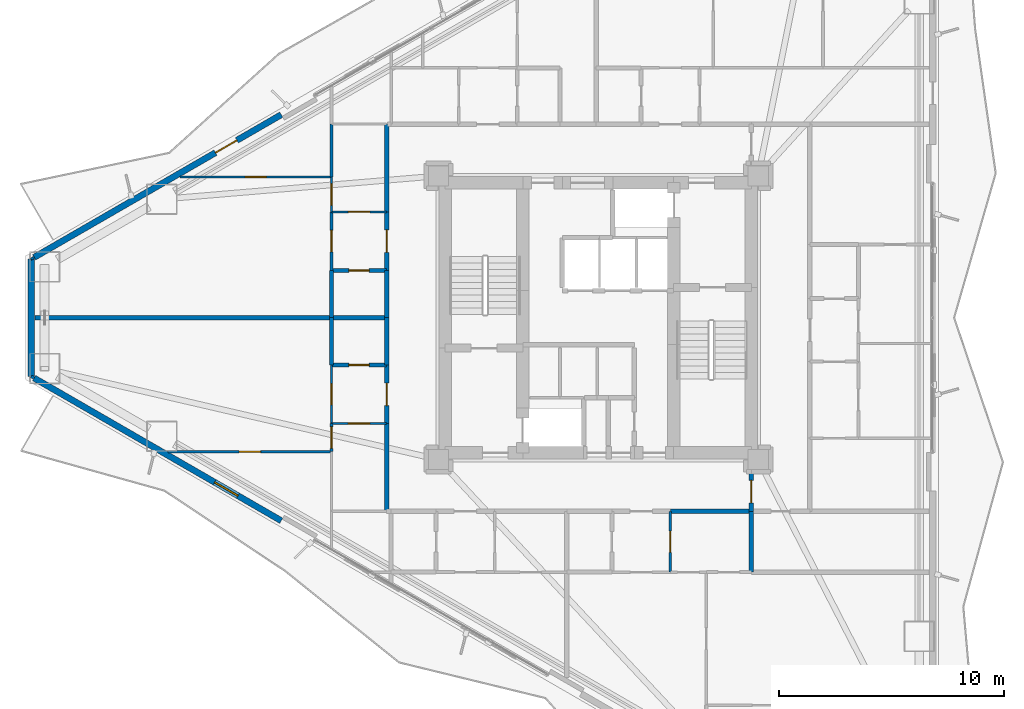
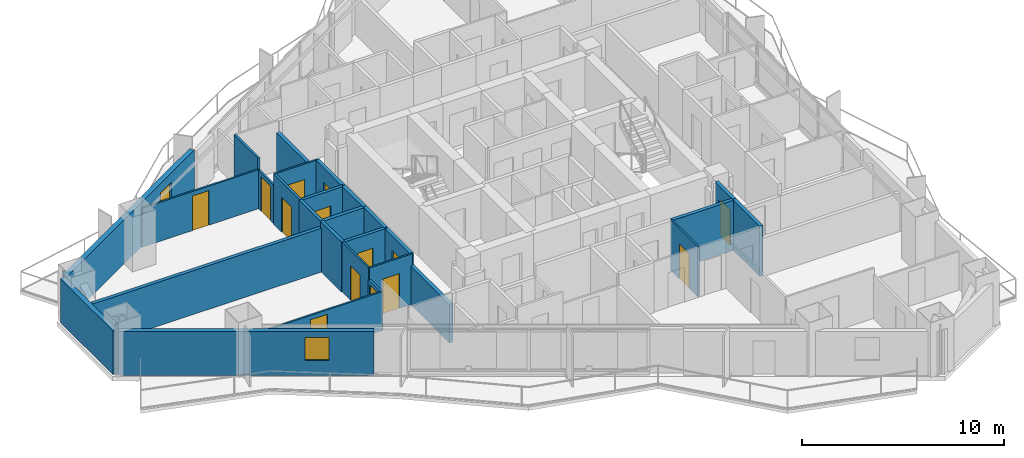
# One storey, part 12 of 18: 30 walls, 15 doors, 1 window, 16 openings.
"""IFC4 building model written with IfcOpenShell, lengths in metres."""

import ifcopenshell
import ifcopenshell.guid

model = None  # the IFC model being written
_history = None  # IfcOwnerHistory: only IFC2X3 demands one
_inside = {}  # id of a spatial element -> (the spatial element, [elements in it])
_under = {}  # id of a project, library or spatial element -> (it, [spatial elements below it])
_declared = {}  # id of a project -> (the project, [libraries it declares])
_typed = {}  # id of a type object -> (the type object, [elements of that type])
_made_of = {}  # id of a material, layer set ... -> (it, [elements and type objects made of it])


def new_model(schema):
    """Start an empty IFC model of exactly this schema.

    Asked for "IFC4X3", IfcOpenShell would pick the latest addendum, in which some entities
    have other attributes; the version numbers below select the first issue.
    IFC2X3 requires an IfcOwnerHistory on every rooted entity: one is made here for all.
    """
    global model, _history
    if schema == "IFC4X3":
        model = ifcopenshell.file(schema_version=(4, 3, 0, 0))
    else:
        model = ifcopenshell.file(schema=schema)
    _inside.clear()
    _under.clear()
    _declared.clear()
    _typed.clear()
    _made_of.clear()
    _history = None
    if model.schema == "IFC2X3":
        org = make("IfcOrganization", Name="unknown")
        user = make(
            "IfcPersonAndOrganization",
            ThePerson=make("IfcPerson", FamilyName="unknown"),
            TheOrganization=org,
        )
        app = make(
            "IfcApplication",
            ApplicationDeveloper=org,
            Version="unknown",
            ApplicationFullName="unknown",
            ApplicationIdentifier="unknown",
        )
        _history = make(
            "IfcOwnerHistory",
            OwningUser=user,
            OwningApplication=app,
            ChangeAction="ADDED",
            CreationDate=0,
        )
    return model


def make(cls, **values):
    """One entity of the class cls with the attributes given. An attribute that is None is left unset."""
    return model.create_entity(
        cls, **{name: value for name, value in values.items() if value is not None}
    )


def rooted(cls, **values):
    """An entity with a GlobalId (a new one), such as an element, a storey or a relation."""
    return make(cls, GlobalId=ifcopenshell.guid.new(), OwnerHistory=_history, **values)


def si_unit(unit_type, name, prefix=None):
    """IfcSIUnit, for example si_unit("LENGTHUNIT", "METRE", prefix="MILLI")."""
    return make("IfcSIUnit", UnitType=unit_type, Prefix=prefix, Name=name)


def assignment(units):
    """IfcUnitAssignment: the units of a project."""
    return None if units is None else make("IfcUnitAssignment", Units=units)


def point(xyz):
    """IfcCartesianPoint."""
    return None if xyz is None else make("IfcCartesianPoint", Coordinates=xyz)


def direction(xyz):
    """IfcDirection."""
    return None if xyz is None else make("IfcDirection", DirectionRatios=xyz)


def frame(location, z_axis=None, x_axis=None):
    """IfcAxis2Placement3D, a coordinate frame: its origin and axes. An axis left out is left unset."""
    return make(
        "IfcAxis2Placement3D",
        Location=point(location),
        Axis=direction(z_axis),
        RefDirection=direction(x_axis),
    )


def frame_2d(location, x_axis=None):
    """IfcAxis2Placement2D, a coordinate frame in the plane: its origin and x axis."""
    return make(
        "IfcAxis2Placement2D", Location=point(location), RefDirection=direction(x_axis)
    )


def origin():
    """The frame at (0, 0, 0) with its axes left unset."""
    return frame((0.0, 0.0, 0.0))


def place(relative_to, where):
    """IfcLocalPlacement: puts the frame where relative to a parent placement (None: the world)."""
    return make(
        "IfcLocalPlacement", PlacementRelTo=relative_to, RelativePlacement=where
    )


def context(
    kind, dimensions, precision=None, world=None, true_north=None, identifier=None
):
    """IfcGeometricRepresentationContext, for example the 3D "Model" context."""
    return make(
        "IfcGeometricRepresentationContext",
        ContextIdentifier=identifier,
        ContextType=kind,
        CoordinateSpaceDimension=dimensions,
        Precision=precision,
        WorldCoordinateSystem=world,
        TrueNorth=true_north,
    )


def subcontext(parent, identifier, kind, view, scale=None):
    """IfcGeometricRepresentationSubContext, for example "Body" below "Model"."""
    return make(
        "IfcGeometricRepresentationSubContext",
        ContextIdentifier=identifier,
        ContextType=kind,
        ParentContext=parent,
        TargetScale=scale,
        TargetView=view,
    )


def project(units=None, contexts=None):
    """IfcProject with its units and contexts."""
    return rooted(
        "IfcProject",
        Name="project",
        RepresentationContexts=contexts,
        UnitsInContext=assignment(units),
    )


def spatial(cls, under=None, at=None, **own):
    """A site, building, storey or space (cls), placed at a placement, below another one or the project."""
    s = rooted(cls, ObjectPlacement=at, **own)
    if under is not None:
        _under.setdefault(under.id(), (under, []))[1].append(s)
    return s


def profile(cls, at=None, kind="AREA", **sizes):
    """A parametric profile (cls). Its sizes go by their IFC names, for example OverallWidth=200.0."""
    return make(cls, ProfileType=kind, Position=at, **sizes)


def rectangle(**sizes):
    """IfcRectangleProfileDef."""
    return profile("IfcRectangleProfileDef", **sizes)


def extrude(swept, where, along, depth):
    """IfcExtrudedAreaSolid: the profile swept, set in the frame where, extruded along a direction by depth."""
    return make(
        "IfcExtrudedAreaSolid",
        SweptArea=swept,
        Position=where,
        ExtrudedDirection=direction(along),
        Depth=depth,
    )


def shape(context_of_items, identifier, shape_type, items):
    """IfcShapeRepresentation: the items that make up one representation, for example the "Body"."""
    return make(
        "IfcShapeRepresentation",
        ContextOfItems=context_of_items,
        RepresentationIdentifier=identifier,
        RepresentationType=shape_type,
        Items=items,
    )


def material(Name=None, Category=None):
    """IfcMaterial."""
    return make("IfcMaterial", Name=Name, Category=Category)


def layer(
    of_material, thickness, ventilated=None, Name=None, Category=None, Priority=None
):
    """IfcMaterialLayer: one layer of a wall or slab, of a material (None: an air gap)."""
    return make(
        "IfcMaterialLayer",
        Material=of_material,
        LayerThickness=thickness,
        IsVentilated=ventilated,
        Name=Name,
        Category=Category,
        Priority=Priority,
    )


def layer_set(layers, Name=None):
    """IfcMaterialLayerSet."""
    return make("IfcMaterialLayerSet", MaterialLayers=layers, LayerSetName=Name)


def made_of(thing, what):
    """Note that an element or type object is made of a material, layer set ...; save() writes the relation."""
    if what is not None:
        _made_of.setdefault(what.id(), (what, []))[1].append(thing)
    return thing


def type_object(cls, material=None, **own):
    """A type object (cls), such as IfcWallType, which elements share."""
    return made_of(rooted(cls, **own), material)


def element(
    cls,
    number,
    at=None,
    inside=None,
    cuts=None,
    type_object=None,
    material=None,
    context=None,
    identifier="Body",
    shape_type=None,
    held_by="IfcProductDefinitionShape",
    body=None,
    shapes=None,
    **own,
):
    """One element of the class cls, such as IfcWall. Its Tag is "e" and its number.

    at: its placement. inside: the storey or other place that contains it. cuts: it is an
    opening in that element (IfcRelVoidsElement). A single representation is given by context,
    identifier, shape_type and body (its items); several are given by shapes. held_by: the class
    of the entity that holds the representations. save() writes the other relations.
    """
    e = rooted(cls, Tag="e%d" % number, ObjectPlacement=at, **own)
    if body is not None:
        shapes = [shape(context, identifier, shape_type, body)]
    if shapes is not None:
        e.Representation = make(held_by, Representations=shapes)
    if inside is not None:
        _inside.setdefault(inside.id(), (inside, []))[1].append(e)
    if cuts is not None:
        rooted(
            "IfcRelVoidsElement", RelatingBuildingElement=cuts, RelatedOpeningElement=e
        )
    if type_object is not None:
        _typed.setdefault(type_object.id(), (type_object, []))[1].append(e)
    return made_of(e, material)


def fill(opening, filler):
    """IfcRelFillsElement: the door or window that sits in an opening."""
    return rooted(
        "IfcRelFillsElement",
        RelatingOpeningElement=opening,
        RelatedBuildingElement=filler,
    )


def aggregate(whole, parts):
    """IfcRelAggregates: a whole, such as a stair, and the parts it consists of."""
    return rooted("IfcRelAggregates", RelatingObject=whole, RelatedObjects=parts)


def save(model, path):
    """Write the relations noted so far, then the file.

    IfcRelAggregates (storeys below a building ...), IfcRelContainedInSpatialStructure (elements
    in a storey), IfcRelDefinesByType, IfcRelAssociatesMaterial and IfcRelDeclares: one each for
    every whole, place, type object, material and project.
    """
    for whole, parts in _under.values():
        aggregate(whole, parts)
    for where, things in _inside.values():
        rooted(
            "IfcRelContainedInSpatialStructure",
            RelatedElements=things,
            RelatingStructure=where,
        )
    for kind, things in _typed.values():
        rooted("IfcRelDefinesByType", RelatedObjects=things, RelatingType=kind)
    for what, things in _made_of.values():
        rooted("IfcRelAssociatesMaterial", RelatedObjects=things, RelatingMaterial=what)
    for by, libraries in _declared.values():
        rooted("IfcRelDeclares", RelatingContext=by, RelatedDefinitions=libraries)
    model.write(path)


model = new_model("IFC4")

# Units and contexts
model_context = context("Model", 3, precision=1e-05, world=origin(), true_north=direction((0.0, 1.0)))
body_context = subcontext(model_context, "Body", "Model", "MODEL_VIEW")
ifc_project = project(units=[si_unit("LENGTHUNIT", "METRE"), si_unit("AREAUNIT", "SQUARE_METRE"), si_unit("VOLUMEUNIT", "CUBIC_METRE"), si_unit("PLANEANGLEUNIT", "RADIAN"), si_unit("MASSUNIT", "GRAM", prefix="KILO")], contexts=[model_context])

# Site, building, storey
site_placement = place(None, origin())
site = spatial("IfcSite", under=ifc_project, at=site_placement, CompositionType="ELEMENT")
building_placement = place(site_placement, origin())
building = spatial("IfcBuilding", under=site, at=building_placement, Name="Mersakhor Tower and Convention Hall", CompositionType="ELEMENT")
storey_placement = place(building_placement, frame((0.0, 0.0, 39.0)))
storey = spatial("IfcBuildingStorey", under=building, at=storey_placement, Name="L10", CompositionType="ELEMENT", Elevation=39.0)

# Wall
ifc_material_1 = material(Name="Precast concrete C45/55", Category="concrete")
ifc_layer_1 = layer(ifc_material_1, 0.27490234375)
ifc_layer_set_1 = layer_set([ifc_layer_1], Name="Precast concrete C45/55")
wall_type_1 = type_object("IfcWallType", Name="WL-EXT-275", PredefinedType="SOLIDWALL", material=ifc_layer_set_1)
wall_1_placement = place(storey_placement, frame((3.81298828125, 24.144287109375, 0.0), z_axis=(0.0, 0.0, 1.0), x_axis=(0.0, 1.0, 0.0)))
element("IfcWall", 1, at=wall_1_placement, inside=storey, type_object=wall_type_1, Name="L10 Chamfer Braced Spandrel Wall C3", PredefinedType="SOLIDWALL", context=body_context, shape_type="SweptSolid", body=[
    extrude(rectangle(XDim=5.21142578125, YDim=0.27490234375, at=frame_2d((2.605712890625, 0.0))), origin(), (0.0, 0.0, 1.0), 2.659912109375),
])

# Wall, opening, door
wall_2_placement = place(storey_placement, frame((3.943115234375, 29.4306640625, 0.0), z_axis=(0.0, 0.0, 1.0), x_axis=(0.866027105532, 0.499997052475, 0.0)))
wall_2 = element("IfcWall", 2, at=wall_2_placement, inside=storey, type_object=wall_type_1, Name="L10 Exterior Facade Wall F1-B1", PredefinedType="SOLIDWALL", context=body_context, shape_type="SweptSolid", body=[
    extrude(rectangle(XDim=12.6728515625, YDim=0.27490234375, at=frame_2d((6.33642578125, 0.0))), origin(), (0.0, 0.0, 1.0), 2.659912109375),
])
opening_1_placement = place(wall_2_placement, frame((9.298095703125, 0.0, 0.0)))
opening_1 = element("IfcOpeningElement", 3, at=opening_1_placement, cuts=wall_2, Name="Opening BD-02", PredefinedType="OPENING", context=body_context, shape_type="SweptSolid", body=[
    extrude(rectangle(XDim=1.10009765625, YDim=2.10009765625, at=frame_2d((0.550048828125, 1.050048828125))), frame((0.0, 0.1474609375, 0.0), z_axis=(0.0, -1.0, 0.0), x_axis=(1.0, 0.0, 0.0)), (0.0, 0.0, 1.0), 0.294921875),
])
ifc_material_2 = material(Name="Thermally broken dark aluminium and safety glass", Category="aluminium")
door_type_1 = type_object("IfcDoorType", Name="DR-BAL-110x210", OperationType="NOTDEFINED", PredefinedType="DOOR", material=ifc_material_2)
door_1_placement = place(opening_1_placement, origin())
door_1 = element("IfcDoor", 4, at=door_1_placement, inside=storey, type_object=door_type_1, Name="L10 Balcony Terrace Door F1-B1", OperationType="SINGLE_SWING_RIGHT", OverallHeight=2.10009765625, OverallWidth=1.10009765625, PredefinedType="DOOR", context=body_context, shape_type="SweptSolid", body=[
    extrude(rectangle(XDim=1.10009765625, YDim=2.10009765625, at=frame_2d((0.550048828125, 1.050048828125))), frame((0.0, 0.02490234375, 0.0), z_axis=(0.0, -1.0, 0.0), x_axis=(1.0, 0.0, 0.0)), (0.0, 0.0, 1.0), 0.050048828125),
])
fill(opening_1, door_1)

# Wall, opening, window
wall_3_placement = place(storey_placement, frame((14.918212890625, 17.73291015625, 0.0), z_axis=(0.0, 0.0, 1.0), x_axis=(-0.866027105532, 0.499997052475, 0.0)))
wall_3 = element("IfcWall", 5, at=wall_3_placement, inside=storey, type_object=wall_type_1, Name="L10 Exterior Facade Wall F3-B3", PredefinedType="SOLIDWALL", context=body_context, shape_type="SweptSolid", body=[
    extrude(rectangle(XDim=12.6728515625, YDim=0.27490234375, at=frame_2d((6.33642578125, 0.0))), origin(), (0.0, 0.0, 1.0), 2.659912109375),
])
opening_2_placement = place(wall_3_placement, frame((2.216064453125, 0.0, 0.89990234375)))
opening_2 = element("IfcOpeningElement", 6, at=opening_2_placement, cuts=wall_3, Name="Opening W-01", PredefinedType="OPENING", context=body_context, shape_type="SweptSolid", body=[
    extrude(rectangle(XDim=1.199951171875, YDim=1.39990234375, at=frame_2d((0.60009765625, 0.699951171875))), frame((0.0, 0.1474609375, 0.0), z_axis=(0.0, -1.0, 0.0), x_axis=(1.0, 0.0, 0.0)), (0.0, 0.0, 1.0), 0.294921875),
])
ifc_material_3 = material(Name="Dark solar low-E glazed aluminium window", Category="aluminium")
window_type = type_object("IfcWindowType", Name="WN-RES-120x150", PartitioningType="SINGLE_PANEL", PredefinedType="WINDOW", material=ifc_material_3)
window_placement = place(opening_2_placement, origin())
window = element("IfcWindow", 7, at=window_placement, inside=storey, type_object=window_type, Name="L10 Bedroom Facade Window F3-B3-1", OverallHeight=1.39990234375, OverallWidth=1.199951171875, PartitioningType="SINGLE_PANEL", PredefinedType="WINDOW", context=body_context, shape_type="SweptSolid", body=[
    extrude(rectangle(XDim=1.199951171875, YDim=1.39990234375, at=frame_2d((0.60009765625, 0.699951171875))), frame((0.0, 0.030029296875, 0.0), z_axis=(0.0, -1.0, 0.0), x_axis=(1.0, 0.0, 0.0)), (0.0, 0.0, 1.0), 0.06005859375),
])
fill(opening_2, window)

# Wall, opening, door
ifc_material_4 = material(Name="Moisture-resistant acoustic drywall studwork", Category="other")
ifc_layer_2 = layer(ifc_material_4, 0.175048828125)
ifc_layer_set_2 = layer_set([ifc_layer_2], Name="Moisture-resistant acoustic drywall studwork")
wall_type_2 = type_object("IfcWallType", Name="WL-PLM-175", PredefinedType="PLUMBINGWALL", material=ifc_layer_set_2)
wall_4_placement = place(storey_placement, frame((19.60009765625, 28.85009765625, 0.0), z_axis=(0.0, 0.0, 1.0), x_axis=(-1.0, 0.0, 0.0)))
wall_4 = element("IfcWall", 8, at=wall_4_placement, inside=storey, type_object=wall_type_2, Name="L10 Interior Partition Wall P-081", PredefinedType="PLUMBINGWALL", context=body_context, shape_type="SweptSolid", body=[
    extrude(rectangle(XDim=2.4501953125, YDim=0.175048828125, at=frame_2d((1.22509765625, 0.0))), origin(), (0.0, 0.0, 1.0), 3.0400390625),
])
opening_3_placement = place(wall_4_placement, frame((0.77490234375, 0.0, 0.0)))
opening_3 = element("IfcOpeningElement", 9, at=opening_3_placement, cuts=wall_4, Name="Opening WD-01", PredefinedType="OPENING", context=body_context, shape_type="SweptSolid", body=[
    extrude(rectangle(XDim=0.89990234375, YDim=2.10009765625, at=frame_2d((0.449951171875, 1.050048828125))), frame((0.0, 0.097412109375, 0.0), z_axis=(0.0, -1.0, 0.0), x_axis=(1.0, 0.0, 0.0)), (0.0, 0.0, 1.0), 0.195068359375),
])
ifc_material_5 = material(Name="Solid-core hardwood leaf in painted steel frame", Category="steel")
door_type_2 = type_object("IfcDoorType", Name="DR-INT-WET-090x210", OperationType="NOTDEFINED", PredefinedType="DOOR", material=ifc_material_5)
door_2_placement = place(opening_3_placement, origin())
door_2 = element("IfcDoor", 10, at=door_2_placement, inside=storey, type_object=door_type_2, Name="L10 L10 Flat W5 Apartment Hall to L10 Flat W5 Bathroom Door", OperationType="SINGLE_SWING_RIGHT", OverallHeight=2.10009765625, OverallWidth=0.89990234375, PredefinedType="DOOR", context=body_context, shape_type="SweptSolid", body=[
    extrude(rectangle(XDim=0.89990234375, YDim=2.10009765625, at=frame_2d((0.449951171875, 1.050048828125))), frame((0.0, 0.02490234375, 0.0), z_axis=(0.0, -1.0, 0.0), x_axis=(1.0, 0.0, 0.0)), (0.0, 0.0, 1.0), 0.050048828125),
])
fill(opening_3, door_2)

wall_5_placement = place(storey_placement, frame((17.14990234375, 24.64990234375, 0.0), z_axis=(0.0, 0.0, 1.0), x_axis=(1.0, 0.0, 0.0)))
wall_5 = element("IfcWall", 11, at=wall_5_placement, inside=storey, type_object=wall_type_2, Name="L10 Interior Partition Wall P-083", PredefinedType="PLUMBINGWALL", context=body_context, shape_type="SweptSolid", body=[
    extrude(rectangle(XDim=2.4501953125, YDim=0.175048828125, at=frame_2d((1.22509765625, 0.0))), origin(), (0.0, 0.0, 1.0), 3.0400390625),
])
opening_4_placement = place(wall_5_placement, frame((0.77490234375, 0.0, 0.0)))
opening_4 = element("IfcOpeningElement", 12, at=opening_4_placement, cuts=wall_5, Name="Opening WD-01", PredefinedType="OPENING", context=body_context, shape_type="SweptSolid", body=[
    extrude(rectangle(XDim=0.89990234375, YDim=2.10009765625, at=frame_2d((0.449951171875, 1.050048828125))), frame((0.0, 0.097412109375, 0.0), z_axis=(0.0, -1.0, 0.0), x_axis=(1.0, 0.0, 0.0)), (0.0, 0.0, 1.0), 0.195068359375),
])
door_3_placement = place(opening_4_placement, origin())
door_3 = element("IfcDoor", 13, at=door_3_placement, inside=storey, type_object=door_type_2, Name="L10 L10 Flat W6 Apartment Hall to L10 Flat W6 Bathroom Door", OperationType="SINGLE_SWING_LEFT", OverallHeight=2.10009765625, OverallWidth=0.89990234375, PredefinedType="DOOR", context=body_context, shape_type="SweptSolid", body=[
    extrude(rectangle(XDim=0.89990234375, YDim=2.10009765625, at=frame_2d((0.449951171875, 1.050048828125))), frame((0.0, 0.02490234375, 0.0), z_axis=(0.0, -1.0, 0.0), x_axis=(1.0, 0.0, 0.0)), (0.0, 0.0, 1.0), 0.050048828125),
])
fill(opening_4, door_3)

# Walls
for number, where, z_axis, x_axis, name in (
    (14, (17.14990234375, 26.75, 0.0), (0.0, 0.0, 1.0), (0.0, 1.0, 0.0), "L10 Interior Partition Wall P-108"),
    (15, (17.14990234375, 24.64990234375, 0.0), (0.0, 0.0, 1.0), (0.0, 1.0, 0.0), "L10 Interior Partition Wall P-113"),
):
    element("IfcWall", number, at=place(storey_placement, frame(where, z_axis=z_axis, x_axis=x_axis)), inside=storey, type_object=wall_type_2, Name=name, PredefinedType="PLUMBINGWALL", context=body_context, shape_type="SweptSolid", body=[
        extrude(rectangle(XDim=2.10009765625, YDim=0.175048828125, at=frame_2d((1.050048828125, 0.0))), origin(), (0.0, 0.0, 1.0), 3.0400390625),
    ])

# Wall, opening, door
ifc_material_6 = material(Name="Lightweight gypsum partition", Category="other")
ifc_layer_3 = layer(ifc_material_6, 0.10009765625)
ifc_layer_set_3 = layer_set([ifc_layer_3], Name="Lightweight gypsum partition")
wall_type_3 = type_object("IfcWallType", Name="WL-PRT-100", PredefinedType="PARTITIONING", material=ifc_layer_set_3)
wall_6_placement = place(storey_placement, frame((32.199951171875, 18.14990234375, 0.0), z_axis=(0.0, 0.0, 1.0), x_axis=(0.0, -1.0, 0.0)))
wall_6 = element("IfcWall", 16, at=wall_6_placement, inside=storey, type_object=wall_type_3, Name="L10 Interior Partition Wall P-078", PredefinedType="PARTITIONING", context=body_context, shape_type="SweptSolid", body=[
    extrude(rectangle(XDim=2.699951171875, YDim=0.10009765625, at=frame_2d((1.35009765625, 0.0))), origin(), (0.0, 0.0, 1.0), 3.0400390625),
])
opening_5_placement = place(wall_6_placement, frame((0.875, 0.0, 0.0)))
opening_5 = element("IfcOpeningElement", 17, at=opening_5_placement, cuts=wall_6, Name="Opening RD-01", PredefinedType="OPENING", context=body_context, shape_type="SweptSolid", body=[
    extrude(rectangle(XDim=0.949951171875, YDim=2.10009765625, at=frame_2d((0.47509765625, 1.050048828125))), frame((0.0, 0.06005859375, 0.0), z_axis=(0.0, -1.0, 0.0), x_axis=(1.0, 0.0, 0.0)), (0.0, 0.0, 1.0), 0.1201171875),
])
ifc_material_7 = material(Name="Solid-core hardwood leaf in painted steel frame", Category="steel")
door_type_3 = type_object("IfcDoorType", Name="DR-INT-RM-095x210", OperationType="NOTDEFINED", PredefinedType="DOOR", material=ifc_material_7)
door_4_placement = place(opening_5_placement, origin())
door_4 = element("IfcDoor", 18, at=door_4_placement, inside=storey, type_object=door_type_3, Name="L10 L10 Flat S4 Apartment Hall to L10 Flat S4 Kitchen Door", OperationType="SINGLE_SWING_RIGHT", OverallHeight=2.10009765625, OverallWidth=0.949951171875, PredefinedType="DOOR", context=body_context, shape_type="SweptSolid", body=[
    extrude(rectangle(XDim=0.949951171875, YDim=2.10009765625, at=frame_2d((0.47509765625, 1.050048828125))), frame((0.0, 0.02490234375, 0.0), z_axis=(0.0, -1.0, 0.0), x_axis=(1.0, 0.0, 0.0)), (0.0, 0.0, 1.0), 0.050048828125),
])
fill(opening_5, door_4)

wall_7_placement = place(storey_placement, frame((17.14990234375, 31.449951171875, 0.0), z_axis=(0.0, 0.0, 1.0), x_axis=(1.0, 0.0, 0.0)))
wall_7 = element("IfcWall", 19, at=wall_7_placement, inside=storey, type_object=wall_type_3, Name="L10 Interior Partition Wall P-080", PredefinedType="PARTITIONING", context=body_context, shape_type="SweptSolid", body=[
    extrude(rectangle(XDim=2.4501953125, YDim=0.10009765625, at=frame_2d((1.22509765625, 0.0))), origin(), (0.0, 0.0, 1.0), 3.0400390625),
])
opening_6_placement = place(wall_7_placement, frame((0.75, 0.0, 0.0)))
opening_6 = element("IfcOpeningElement", 20, at=opening_6_placement, cuts=wall_7, Name="Opening RD-01", PredefinedType="OPENING", context=body_context, shape_type="SweptSolid", body=[
    extrude(rectangle(XDim=0.949951171875, YDim=2.10009765625, at=frame_2d((0.47509765625, 1.050048828125))), frame((0.0, 0.06005859375, 0.0), z_axis=(0.0, -1.0, 0.0), x_axis=(1.0, 0.0, 0.0)), (0.0, 0.0, 1.0), 0.1201171875),
])
door_5_placement = place(opening_6_placement, origin())
door_5 = element("IfcDoor", 21, at=door_5_placement, inside=storey, type_object=door_type_3, Name="L10 L10 Flat W5 Apartment Hall to L10 Flat W5 Kitchen Door", OperationType="SINGLE_SWING_LEFT", OverallHeight=2.10009765625, OverallWidth=0.949951171875, PredefinedType="DOOR", context=body_context, shape_type="SweptSolid", body=[
    extrude(rectangle(XDim=0.949951171875, YDim=2.10009765625, at=frame_2d((0.47509765625, 1.050048828125))), frame((0.0, 0.02490234375, 0.0), z_axis=(0.0, -1.0, 0.0), x_axis=(1.0, 0.0, 0.0)), (0.0, 0.0, 1.0), 0.050048828125),
])
fill(opening_6, door_5)

wall_8_placement = place(storey_placement, frame((17.14990234375, 22.050048828125, 0.0), z_axis=(0.0, 0.0, 1.0), x_axis=(0.0, 1.0, 0.0)))
wall_8 = element("IfcWall", 22, at=wall_8_placement, inside=storey, type_object=wall_type_3, Name="L10 Interior Partition Wall P-082", PredefinedType="PARTITIONING", context=body_context, shape_type="SweptSolid", body=[
    extrude(rectangle(XDim=2.599853515625, YDim=0.10009765625, at=frame_2d((1.2998046875, 0.0))), origin(), (0.0, 0.0, 1.0), 3.0400390625),
])
opening_7_placement = place(wall_8_placement, frame((0.824951171875, 0.0, 0.0)))
opening_7 = element("IfcOpeningElement", 23, at=opening_7_placement, cuts=wall_8, Name="Opening RD-01", PredefinedType="OPENING", context=body_context, shape_type="SweptSolid", body=[
    extrude(rectangle(XDim=0.949951171875, YDim=2.10009765625, at=frame_2d((0.47509765625, 1.050048828125))), frame((0.0, 0.06005859375, 0.0), z_axis=(0.0, -1.0, 0.0), x_axis=(1.0, 0.0, 0.0)), (0.0, 0.0, 1.0), 0.1201171875),
])
door_6_placement = place(opening_7_placement, origin())
door_6 = element("IfcDoor", 24, at=door_6_placement, inside=storey, type_object=door_type_3, Name="L10 L10 Flat W6 Apartment Hall to L10 Flat W6 Living and Dining Room Door", OperationType="SINGLE_SWING_LEFT", OverallHeight=2.10009765625, OverallWidth=0.949951171875, PredefinedType="DOOR", context=body_context, shape_type="SweptSolid", body=[
    extrude(rectangle(XDim=0.949951171875, YDim=2.10009765625, at=frame_2d((0.47509765625, 1.050048828125))), frame((0.0, 0.02490234375, 0.0), z_axis=(0.0, -1.0, 0.0), x_axis=(1.0, 0.0, 0.0)), (0.0, 0.0, 1.0), 0.050048828125),
])
fill(opening_7, door_6)

wall_9_placement = place(storey_placement, frame((19.60009765625, 22.050048828125, 0.0), z_axis=(0.0, 0.0, 1.0), x_axis=(-1.0, 0.0, 0.0)))
wall_9 = element("IfcWall", 25, at=wall_9_placement, inside=storey, type_object=wall_type_3, Name="L10 Interior Partition Wall P-084", PredefinedType="PARTITIONING", context=body_context, shape_type="SweptSolid", body=[
    extrude(rectangle(XDim=2.4501953125, YDim=0.10009765625, at=frame_2d((1.22509765625, 0.0))), origin(), (0.0, 0.0, 1.0), 3.0400390625),
])
opening_8_placement = place(wall_9_placement, frame((0.75, 0.0, 0.0)))
opening_8 = element("IfcOpeningElement", 26, at=opening_8_placement, cuts=wall_9, Name="Opening RD-01", PredefinedType="OPENING", context=body_context, shape_type="SweptSolid", body=[
    extrude(rectangle(XDim=0.949951171875, YDim=2.10009765625, at=frame_2d((0.47509765625, 1.050048828125))), frame((0.0, 0.06005859375, 0.0), z_axis=(0.0, -1.0, 0.0), x_axis=(1.0, 0.0, 0.0)), (0.0, 0.0, 1.0), 0.1201171875),
])
door_7_placement = place(opening_8_placement, origin())
door_7 = element("IfcDoor", 27, at=door_7_placement, inside=storey, type_object=door_type_3, Name="L10 L10 Flat W6 Apartment Hall to L10 Flat W6 Kitchen Door", OperationType="SINGLE_SWING_RIGHT", OverallHeight=2.10009765625, OverallWidth=0.949951171875, PredefinedType="DOOR", context=body_context, shape_type="SweptSolid", body=[
    extrude(rectangle(XDim=0.949951171875, YDim=2.10009765625, at=frame_2d((0.47509765625, 1.050048828125))), frame((0.0, 0.02490234375, 0.0), z_axis=(0.0, -1.0, 0.0), x_axis=(1.0, 0.0, 0.0)), (0.0, 0.0, 1.0), 0.050048828125),
])
fill(opening_8, door_7)

wall_10_placement = place(storey_placement, frame((17.14990234375, 31.449951171875, 0.0), z_axis=(0.0, 0.0, 1.0), x_axis=(0.0, 1.0, 0.0)))
wall_10 = element("IfcWall", 28, at=wall_10_placement, inside=storey, type_object=wall_type_3, Name="L10 Interior Partition Wall P-110", PredefinedType="PARTITIONING", context=body_context, shape_type="SweptSolid", body=[
    extrude(rectangle(XDim=1.550048828125, YDim=0.10009765625, at=frame_2d((0.77490234375, 0.0))), origin(), (0.0, 0.0, 1.0), 2.33740234375),
])
opening_9_placement = place(wall_10_placement, frame((0.300048828125, 0.0, 0.0)))
opening_9 = element("IfcOpeningElement", 29, at=opening_9_placement, cuts=wall_10, Name="Opening RD-01", PredefinedType="OPENING", context=body_context, shape_type="SweptSolid", body=[
    extrude(rectangle(XDim=0.949951171875, YDim=2.10009765625, at=frame_2d((0.47509765625, 1.050048828125))), frame((0.0, 0.06005859375, 0.0), z_axis=(0.0, -1.0, 0.0), x_axis=(1.0, 0.0, 0.0)), (0.0, 0.0, 1.0), 0.1201171875),
])
door_8_placement = place(opening_9_placement, origin())
door_8 = element("IfcDoor", 30, at=door_8_placement, inside=storey, type_object=door_type_3, Name="L10 L10 Flat W5 Kitchen to L10 Flat W5 Living and Dining Room Door", OperationType="SINGLE_SWING_RIGHT", OverallHeight=2.10009765625, OverallWidth=0.949951171875, PredefinedType="DOOR", context=body_context, shape_type="SweptSolid", body=[
    extrude(rectangle(XDim=0.949951171875, YDim=2.10009765625, at=frame_2d((0.47509765625, 1.050048828125))), frame((0.0, 0.02490234375, 0.0), z_axis=(0.0, -1.0, 0.0), x_axis=(1.0, 0.0, 0.0)), (0.0, 0.0, 1.0), 0.050048828125),
])
fill(opening_9, door_8)

wall_11_placement = place(storey_placement, frame((10.4189453125, 33.0, 0.0), z_axis=(0.0, 0.0, 1.0), x_axis=(1.0, 0.0, 0.0)))
wall_11 = element("IfcWall", 31, at=wall_11_placement, inside=storey, type_object=wall_type_3, Name="L10 Interior Partition Wall P-140", PredefinedType="PARTITIONING", context=body_context, shape_type="SweptSolid", body=[
    extrude(rectangle(XDim=6.73095703125, YDim=0.10009765625, at=frame_2d((3.365478515625, 0.0))), origin(), (0.0, 0.0, 1.0), 2.364990234375),
])
opening_10_placement = place(wall_11_placement, frame((2.890380859375, 0.0, 0.0)))
opening_10 = element("IfcOpeningElement", 32, at=opening_10_placement, cuts=wall_11, Name="Opening RD-01", PredefinedType="OPENING", context=body_context, shape_type="SweptSolid", body=[
    extrude(rectangle(XDim=0.949951171875, YDim=2.10009765625, at=frame_2d((0.47509765625, 1.050048828125))), frame((0.0, 0.06005859375, 0.0), z_axis=(0.0, -1.0, 0.0), x_axis=(1.0, 0.0, 0.0)), (0.0, 0.0, 1.0), 0.1201171875),
])
door_9_placement = place(opening_10_placement, origin())
door_9 = element("IfcDoor", 33, at=door_9_placement, inside=storey, type_object=door_type_3, Name="L10 L10 Flat W5 Living and Dining Room to L10 Flat W5 Bedroom 1 Door", OperationType="SINGLE_SWING_RIGHT", OverallHeight=2.10009765625, OverallWidth=0.949951171875, PredefinedType="DOOR", context=body_context, shape_type="SweptSolid", body=[
    extrude(rectangle(XDim=0.949951171875, YDim=2.10009765625, at=frame_2d((0.47509765625, 1.050048828125))), frame((0.0, 0.02490234375, 0.0), z_axis=(0.0, -1.0, 0.0), x_axis=(1.0, 0.0, 0.0)), (0.0, 0.0, 1.0), 0.050048828125),
])
fill(opening_10, door_9)

# Wall
wall_12_placement = place(storey_placement, frame((3.81298828125, 29.35595703125, 0.0), z_axis=(0.0, 0.0, 1.0), x_axis=(0.866131372301, 0.499816412211, 0.0)))
element("IfcWall", 34, at=wall_12_placement, inside=storey, type_object=wall_type_3, Name="L10 Interior Partition Wall P-142", PredefinedType="PARTITIONING", context=body_context, shape_type="SweptSolid", body=[
    extrude(rectangle(XDim=0.14990234375, YDim=0.10009765625, at=frame_2d((0.074951171875, 0.0))), origin(), (0.0, 0.0, 1.0), 3.0400390625),
])

# Wall, opening, door
wall_13_placement = place(storey_placement, frame((17.14990234375, 20.800048828125, 0.0), z_axis=(0.0, 0.0, 1.0), x_axis=(-1.0, 0.0, 0.0)))
wall_13 = element("IfcWall", 35, at=wall_13_placement, inside=storey, type_object=wall_type_3, Name="L10 Interior Partition Wall P-144", PredefinedType="PARTITIONING", context=body_context, shape_type="SweptSolid", body=[
    extrude(rectangle(XDim=7.25048828125, YDim=0.10009765625, at=frame_2d((3.625244140625, 0.0))), origin(), (0.0, 0.0, 1.0), 2.364990234375),
])
opening_11_placement = place(wall_13_placement, frame((3.150390625, 0.0, 0.0)))
opening_11 = element("IfcOpeningElement", 36, at=opening_11_placement, cuts=wall_13, Name="Opening RD-01", PredefinedType="OPENING", context=body_context, shape_type="SweptSolid", body=[
    extrude(rectangle(XDim=0.949951171875, YDim=2.10009765625, at=frame_2d((0.47509765625, 1.050048828125))), frame((0.0, 0.06005859375, 0.0), z_axis=(0.0, -1.0, 0.0), x_axis=(1.0, 0.0, 0.0)), (0.0, 0.0, 1.0), 0.1201171875),
])
door_10_placement = place(opening_11_placement, origin())
door_10 = element("IfcDoor", 37, at=door_10_placement, inside=storey, type_object=door_type_3, Name="L10 L10 Flat W6 Living and Dining Room to L10 Flat W6 Bedroom 1 Door", OperationType="SINGLE_SWING_LEFT", OverallHeight=2.10009765625, OverallWidth=0.949951171875, PredefinedType="DOOR", context=body_context, shape_type="SweptSolid", body=[
    extrude(rectangle(XDim=0.949951171875, YDim=2.10009765625, at=frame_2d((0.47509765625, 1.050048828125))), frame((0.0, 0.02490234375, 0.0), z_axis=(0.0, -1.0, 0.0), x_axis=(1.0, 0.0, 0.0)), (0.0, 0.0, 1.0), 0.050048828125),
])
fill(opening_11, door_10)

ifc_material_8 = material(Name="Gypsum board acoustic partition", Category="other")
ifc_layer_4 = layer(ifc_material_8, 0.125)
ifc_layer_set_4 = layer_set([ifc_layer_4], Name="Gypsum board acoustic partition")
wall_type_4 = type_object("IfcWallType", Name="WL-PRT-125", PredefinedType="PARTITIONING", material=ifc_layer_set_4)
wall_14_placement = place(storey_placement, frame((17.14990234375, 28.85009765625, 0.0), z_axis=(0.0, 0.0, 1.0), x_axis=(0.0, 1.0, 0.0)))
wall_14 = element("IfcWall", 38, at=wall_14_placement, inside=storey, type_object=wall_type_4, Name="L10 Interior Partition Wall P-079", PredefinedType="PARTITIONING", context=body_context, shape_type="SweptSolid", body=[
    extrude(rectangle(XDim=2.599853515625, YDim=0.125, at=frame_2d((1.2998046875, 0.0))), origin(), (0.0, 0.0, 1.0), 3.0400390625),
])
opening_12_placement = place(wall_14_placement, frame((0.824951171875, 0.0, 0.0)))
opening_12 = element("IfcOpeningElement", 39, at=opening_12_placement, cuts=wall_14, Name="Opening RD-01", PredefinedType="OPENING", context=body_context, shape_type="SweptSolid", body=[
    extrude(rectangle(XDim=0.949951171875, YDim=2.10009765625, at=frame_2d((0.47509765625, 1.050048828125))), frame((0.0, 0.072509765625, 0.0), z_axis=(0.0, -1.0, 0.0), x_axis=(1.0, 0.0, 0.0)), (0.0, 0.0, 1.0), 0.14501953125),
])
door_11_placement = place(opening_12_placement, origin())
door_11 = element("IfcDoor", 40, at=door_11_placement, inside=storey, type_object=door_type_3, Name="L10 L10 Flat W5 Apartment Hall to L10 Flat W5 Living and Dining Room Door", OperationType="SINGLE_SWING_RIGHT", OverallHeight=2.10009765625, OverallWidth=0.949951171875, PredefinedType="DOOR", context=body_context, shape_type="SweptSolid", body=[
    extrude(rectangle(XDim=0.949951171875, YDim=2.10009765625, at=frame_2d((0.47509765625, 1.050048828125))), frame((0.0, 0.02490234375, 0.0), z_axis=(0.0, -1.0, 0.0), x_axis=(1.0, 0.0, 0.0)), (0.0, 0.0, 1.0), 0.050048828125),
])
fill(opening_12, door_11)

# Wall
wall_15_placement = place(storey_placement, frame((17.14990234375, 33.0, 0.0), z_axis=(0.0, 0.0, 1.0), x_axis=(0.0, 1.0, 0.0)))
element("IfcWall", 41, at=wall_15_placement, inside=storey, type_object=wall_type_4, Name="L10 Interior Partition Wall P-111", PredefinedType="PARTITIONING", context=body_context, shape_type="SweptSolid", body=[
    extrude(rectangle(XDim=2.35009765625, YDim=0.125, at=frame_2d((1.175048828125, 0.0))), origin(), (0.0, 0.0, 1.0), 3.0400390625),
])

# Wall, opening, door
wall_16_placement = place(storey_placement, frame((17.14990234375, 20.800048828125, 0.0), z_axis=(0.0, 0.0, 1.0), x_axis=(0.0, 1.0, 0.0)))
wall_16 = element("IfcWall", 42, at=wall_16_placement, inside=storey, type_object=wall_type_4, Name="L10 Interior Partition Wall P-115", PredefinedType="PARTITIONING", context=body_context, shape_type="SweptSolid", body=[
    extrude(rectangle(XDim=1.25, YDim=0.125, at=frame_2d((0.625, 0.0))), origin(), (0.0, 0.0, 1.0), 2.33740234375),
])
opening_13_placement = place(wall_16_placement, frame((0.14990234375, 0.0, 0.0)))
opening_13 = element("IfcOpeningElement", 43, at=opening_13_placement, cuts=wall_16, Name="Opening RD-01", PredefinedType="OPENING", context=body_context, shape_type="SweptSolid", body=[
    extrude(rectangle(XDim=0.949951171875, YDim=2.10009765625, at=frame_2d((0.47509765625, 1.050048828125))), frame((0.0, 0.072509765625, 0.0), z_axis=(0.0, -1.0, 0.0), x_axis=(1.0, 0.0, 0.0)), (0.0, 0.0, 1.0), 0.14501953125),
])
door_12_placement = place(opening_13_placement, origin())
door_12 = element("IfcDoor", 44, at=door_12_placement, inside=storey, type_object=door_type_3, Name="L10 L10 Flat W6 Kitchen to L10 Flat W6 Living and Dining Room Door", OperationType="SINGLE_SWING_LEFT", OverallHeight=2.10009765625, OverallWidth=0.949951171875, PredefinedType="DOOR", context=body_context, shape_type="SweptSolid", body=[
    extrude(rectangle(XDim=0.949951171875, YDim=2.10009765625, at=frame_2d((0.47509765625, 1.050048828125))), frame((0.0, 0.02490234375, 0.0), z_axis=(0.0, -1.0, 0.0), x_axis=(1.0, 0.0, 0.0)), (0.0, 0.0, 1.0), 0.050048828125),
])
fill(opening_13, door_12)

# Wall
wall_17_placement = place(storey_placement, frame((3.94287109375, 24.069091796875, 0.0), z_axis=(0.0, 0.0, 1.0), x_axis=(-0.866131372301, 0.499816412211, 0.0)))
element("IfcWall", 45, at=wall_17_placement, inside=storey, type_object=wall_type_4, Name="L10 Interior Partition Wall P-145", PredefinedType="PARTITIONING", context=body_context, shape_type="SweptSolid", body=[
    extrude(rectangle(XDim=0.14990234375, YDim=0.125, at=frame_2d((0.074951171875, 0.0))), origin(), (0.0, 0.0, 1.0), 3.0400390625),
])

# Wall, opening, door
ifc_material_9 = material(Name="Acoustic concrete blockwork and gypsum board", Category="masonry")
ifc_layer_5 = layer(ifc_material_9, 0.199951171875)
ifc_layer_set_5 = layer_set([ifc_layer_5], Name="Acoustic concrete blockwork and gypsum board")
wall_type_5 = type_object("IfcWallType", Name="WL-PRT-200", PredefinedType="PARTITIONING", material=ifc_layer_set_5)
wall_18_placement = place(storey_placement, frame((35.800048828125, 19.89990234375, 0.0), z_axis=(0.0, 0.0, 1.0), x_axis=(0.0, -1.0, 0.0)))
wall_18 = element("IfcWall", 46, at=wall_18_placement, inside=storey, type_object=wall_type_5, Name="L10 Interior Partition Wall P-023", PredefinedType="PARTITIONING", context=body_context, shape_type="SweptSolid", body=[
    extrude(rectangle(XDim=1.75, YDim=0.199951171875, at=frame_2d((0.875, 0.0))), origin(), (0.0, 0.0, 1.0), 3.0400390625),
])
opening_14_placement = place(wall_18_placement, frame((0.375, 0.0, 0.0)))
opening_14 = element("IfcOpeningElement", 47, at=opening_14_placement, cuts=wall_18, Name="Opening FD-01", PredefinedType="OPENING", context=body_context, shape_type="SweptSolid", body=[
    extrude(rectangle(XDim=1.0, YDim=2.14990234375, at=frame_2d((0.5, 1.074951171875))), frame((0.0, 0.10986328125, 0.0), z_axis=(0.0, -1.0, 0.0), x_axis=(1.0, 0.0, 0.0)), (0.0, 0.0, 1.0), 0.219970703125),
])
ifc_material_10 = material(Name="Fire-rated hardwood leaf and painted steel frame", Category="steel")
door_type_4 = type_object("IfcDoorType", Name="DR-INT-FLT-100x215", OperationType="NOTDEFINED", PredefinedType="DOOR", material=ifc_material_10)
door_13_placement = place(opening_14_placement, origin())
door_13 = element("IfcDoor", 48, at=door_13_placement, inside=storey, type_object=door_type_4, Name="L10 Ring Corridor Fire Door", OperationType="SINGLE_SWING_RIGHT", OverallHeight=2.14990234375, OverallWidth=1.0, PredefinedType="DOOR", context=body_context, shape_type="SweptSolid", body=[
    extrude(rectangle(XDim=1.0, YDim=2.14990234375, at=frame_2d((0.5, 1.074951171875))), frame((0.0, 0.02490234375, 0.0), z_axis=(0.0, -1.0, 0.0), x_axis=(1.0, 0.0, 0.0)), (0.0, 0.0, 1.0), 0.050048828125),
])
fill(opening_14, door_13)

# Walls
wall_19_placement = place(storey_placement, frame((35.800048828125, 18.14990234375, 0.0), z_axis=(0.0, 0.0, 1.0), x_axis=(-1.0, 0.0, 0.0)))
element("IfcWall", 49, at=wall_19_placement, inside=storey, type_object=wall_type_5, Name="L10 Interior Partition Wall P-024", PredefinedType="PARTITIONING", context=body_context, shape_type="SweptSolid", body=[
    extrude(rectangle(XDim=3.60009765625, YDim=0.199951171875, at=frame_2d((1.800048828125, 0.0))), origin(), (0.0, 0.0, 1.0), 3.0400390625),
])
wall_20_placement = place(storey_placement, frame((19.60009765625, 18.14990234375, 0.0), z_axis=(0.0, 0.0, 1.0), x_axis=(0.0, 1.0, 0.0)))
element("IfcWall", 50, at=wall_20_placement, inside=storey, type_object=wall_type_5, Name="L10 Interior Partition Wall P-031", PredefinedType="PARTITIONING", context=body_context, shape_type="SweptSolid", body=[
    extrude(rectangle(XDim=3.900146484375, YDim=0.199951171875, at=frame_2d((1.9501953125, 0.0))), origin(), (0.0, 0.0, 1.0), 2.33740234375),
])

# Wall, opening, door
wall_21_placement = place(storey_placement, frame((19.60009765625, 22.050048828125, 0.0), z_axis=(0.0, 0.0, 1.0), x_axis=(0.0, 1.0, 0.0)))
wall_21 = element("IfcWall", 51, at=wall_21_placement, inside=storey, type_object=wall_type_5, Name="L10 Interior Partition Wall P-032", PredefinedType="PARTITIONING", context=body_context, shape_type="SweptSolid", body=[
    extrude(rectangle(XDim=2.599853515625, YDim=0.199951171875, at=frame_2d((1.2998046875, 0.0))), origin(), (0.0, 0.0, 1.0), 3.0400390625),
])
opening_15_placement = place(wall_21_placement, frame((0.800048828125, 0.0, 0.0)))
opening_15 = element("IfcOpeningElement", 52, at=opening_15_placement, cuts=wall_21, Name="Opening FD-01", PredefinedType="OPENING", context=body_context, shape_type="SweptSolid", body=[
    extrude(rectangle(XDim=1.0, YDim=2.14990234375, at=frame_2d((0.5, 1.074951171875))), frame((0.0, 0.10986328125, 0.0), z_axis=(0.0, -1.0, 0.0), x_axis=(1.0, 0.0, 0.0)), (0.0, 0.0, 1.0), 0.219970703125),
])
door_14_placement = place(opening_15_placement, origin())
door_14 = element("IfcDoor", 53, at=door_14_placement, inside=storey, type_object=door_type_4, Name="L10 Apartment Entrance Door (Residential Ring Corridor to L10 Flat W6 Apartment Hall)", OperationType="SINGLE_SWING_LEFT", OverallHeight=2.14990234375, OverallWidth=1.0, PredefinedType="DOOR", context=body_context, shape_type="SweptSolid", body=[
    extrude(rectangle(XDim=1.0, YDim=2.14990234375, at=frame_2d((0.5, 1.074951171875))), frame((0.0, 0.02490234375, 0.0), z_axis=(0.0, -1.0, 0.0), x_axis=(1.0, 0.0, 0.0)), (0.0, 0.0, 1.0), 0.050048828125),
])
fill(opening_15, door_14)

# Walls
for number, where, z_axis, x_axis, name in (
    (54, (19.60009765625, 24.64990234375, 0.0), (0.0, 0.0, 1.0), (0.0, 1.0, 0.0), "L10 Interior Partition Wall P-033"),
    (55, (19.60009765625, 26.75, 0.0), (0.0, 0.0, 1.0), (0.0, 1.0, 0.0), "L10 Interior Partition Wall P-034"),
):
    element("IfcWall", number, at=place(storey_placement, frame(where, z_axis=z_axis, x_axis=x_axis)), inside=storey, type_object=wall_type_5, Name=name, PredefinedType="PARTITIONING", context=body_context, shape_type="SweptSolid", body=[
        extrude(rectangle(XDim=2.10009765625, YDim=0.199951171875, at=frame_2d((1.050048828125, 0.0))), origin(), (0.0, 0.0, 1.0), 3.0400390625),
    ])

# Wall, opening, door
wall_22_placement = place(storey_placement, frame((19.60009765625, 28.85009765625, 0.0), z_axis=(0.0, 0.0, 1.0), x_axis=(0.0, 1.0, 0.0)))
wall_22 = element("IfcWall", 56, at=wall_22_placement, inside=storey, type_object=wall_type_5, Name="L10 Interior Partition Wall P-035", PredefinedType="PARTITIONING", context=body_context, shape_type="SweptSolid", body=[
    extrude(rectangle(XDim=2.599853515625, YDim=0.199951171875, at=frame_2d((1.2998046875, 0.0))), origin(), (0.0, 0.0, 1.0), 3.0400390625),
])
opening_16_placement = place(wall_22_placement, frame((0.800048828125, 0.0, 0.0)))
opening_16 = element("IfcOpeningElement", 57, at=opening_16_placement, cuts=wall_22, Name="Opening FD-01", PredefinedType="OPENING", context=body_context, shape_type="SweptSolid", body=[
    extrude(rectangle(XDim=1.0, YDim=2.14990234375, at=frame_2d((0.5, 1.074951171875))), frame((0.0, 0.10986328125, 0.0), z_axis=(0.0, -1.0, 0.0), x_axis=(1.0, 0.0, 0.0)), (0.0, 0.0, 1.0), 0.219970703125),
])
door_15_placement = place(opening_16_placement, origin())
door_15 = element("IfcDoor", 58, at=door_15_placement, inside=storey, type_object=door_type_4, Name="L10 Apartment Entrance Door (Residential Ring Corridor to L10 Flat W5 Apartment Hall)", OperationType="SINGLE_SWING_RIGHT", OverallHeight=2.14990234375, OverallWidth=1.0, PredefinedType="DOOR", context=body_context, shape_type="SweptSolid", body=[
    extrude(rectangle(XDim=1.0, YDim=2.14990234375, at=frame_2d((0.5, 1.074951171875))), frame((0.0, 0.02490234375, 0.0), z_axis=(0.0, -1.0, 0.0), x_axis=(1.0, 0.0, 0.0)), (0.0, 0.0, 1.0), 0.050048828125),
])
fill(opening_16, door_15)

# Walls
wall_23_placement = place(storey_placement, frame((19.60009765625, 31.449951171875, 0.0), z_axis=(0.0, 0.0, 1.0), x_axis=(0.0, 1.0, 0.0)))
element("IfcWall", 59, at=wall_23_placement, inside=storey, type_object=wall_type_5, Name="L10 Interior Partition Wall P-036", PredefinedType="PARTITIONING", context=body_context, shape_type="SweptSolid", body=[
    extrude(rectangle(XDim=3.900146484375, YDim=0.199951171875, at=frame_2d((1.9501953125, 0.0))), origin(), (0.0, 0.0, 1.0), 2.33740234375),
])
wall_24_placement = place(storey_placement, frame((35.800048828125, 18.14990234375, 0.0), z_axis=(0.0, 0.0, 1.0), x_axis=(0.0, -1.0, 0.0)))
element("IfcWall", 60, at=wall_24_placement, inside=storey, type_object=wall_type_5, Name="L10 Interior Partition Wall P-107", PredefinedType="PARTITIONING", context=body_context, shape_type="SweptSolid", body=[
    extrude(rectangle(XDim=2.699951171875, YDim=0.199951171875, at=frame_2d((1.35009765625, 0.0))), origin(), (0.0, 0.0, 1.0), 3.0400390625),
])
wall_25_placement = place(storey_placement, frame((19.60009765625, 26.75, 0.0), z_axis=(0.0, 0.0, 1.0), x_axis=(-1.0, 0.0, 0.0)))
element("IfcWall", 61, at=wall_25_placement, inside=storey, type_object=wall_type_5, Name="L10 Interior Partition Wall P-109", PredefinedType="PARTITIONING", context=body_context, shape_type="SweptSolid", body=[
    extrude(rectangle(XDim=2.4501953125, YDim=0.199951171875, at=frame_2d((1.22509765625, 0.0))), origin(), (0.0, 0.0, 1.0), 3.0400390625),
])
wall_26_placement = place(storey_placement, frame((17.14990234375, 26.75, 0.0), z_axis=(0.0, 0.0, 1.0), x_axis=(-1.0, 0.0, 0.0)))
element("IfcWall", 62, at=wall_26_placement, inside=storey, type_object=wall_type_5, Name="L10 Interior Partition Wall P-141", PredefinedType="PARTITIONING", context=body_context, shape_type="SweptSolid", body=[
    extrude(rectangle(XDim=13.17529296875, YDim=0.199951171875, at=frame_2d((6.587646484375, 0.0))), origin(), (0.0, 0.0, 1.0), 2.650390625),
])

save(model, "model.ifc")
